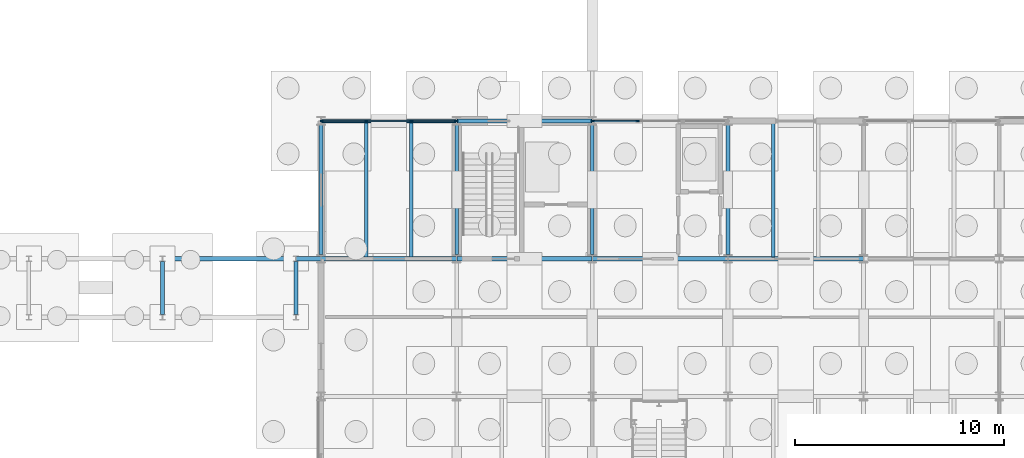
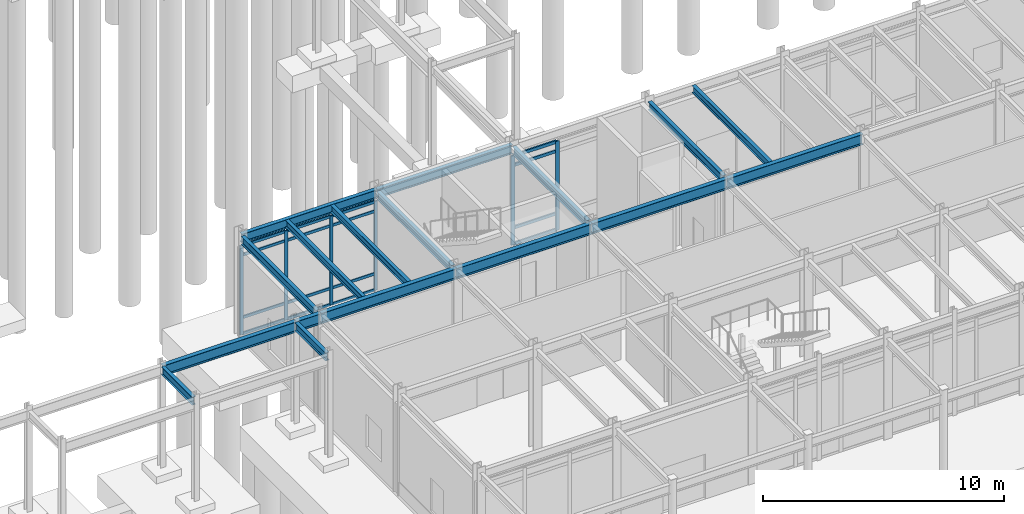
# One storey, part 37 of 82: 22 members, 17 beams, 2 elements without a shape of their own.
"""IFC4 building model written with IfcOpenShell, lengths in metres."""

from ifc_helpers import new_model, si_unit, direction, frame, origin, origin_2d, place, context, subcontext, project, spatial, rectangle, i_section, extrude, material, layer, layer_set, material_profile, profile_set, type_object, element, aggregate, save


model = new_model("IFC4")

# Units and contexts
model_context = context("Model", 3, precision=1e-05, world=origin(), true_north=direction((0.0, 1.0)))
body_context = subcontext(model_context, "Body", "Model", "MODEL_VIEW")
ifc_project = project(units=[si_unit("LENGTHUNIT", "METRE"), si_unit("AREAUNIT", "SQUARE_METRE"), si_unit("VOLUMEUNIT", "CUBIC_METRE"), si_unit("PLANEANGLEUNIT", "RADIAN"), si_unit("MASSUNIT", "GRAM", prefix="KILO")], contexts=[model_context])

# Site, building, storey
site_placement = place(None, origin())
site = spatial("IfcSite", under=ifc_project, at=site_placement, CompositionType="ELEMENT")
building_placement = place(site_placement, origin())
building = spatial("IfcBuilding", under=site, at=building_placement, Name="Trelmorton Wharf Fire Station", CompositionType="ELEMENT")
storey_placement = place(building_placement, origin())
storey = spatial("IfcBuildingStorey", under=building, at=storey_placement, Name="L00", CompositionType="ELEMENT", Elevation=0.0)

# Beams
ifc_material_1 = material(Name="Steel Grade 350", Category="steel")
ifc_material_profile_1 = material_profile(ifc_material_1, i_section(OverallWidth=0.177978515625, OverallDepth=0.406005859375, WebThickness=0.0078125, FlangeThickness=0.0126953125, FilletRadius=0.011474609375, at=origin_2d()), Name="410UB59.7")
ifc_profile_set_1 = profile_set([ifc_material_profile_1], Name="Steel Grade 350")
beam_type_1 = type_object("IfcBeamType", Name="BM_410UB60", PredefinedType="BEAM", material=ifc_profile_set_1)
for number, where, z_axis, x_axis, name in (
    (1, (96.39990234375, 18.322998046875, 4.927001953125), (0.0, 1.0, 0.0), (-1.0, 0.0, 0.0), "BM-L00-0311"),
    (2, (102.800048828125, 18.322998046875, 4.927001953125), (0.0, 1.0, 0.0), (-1.0, 0.0, 0.0), "BM-L00-0312"),
):
    element("IfcBeam", number, at=place(storey_placement, frame(where, z_axis=z_axis, x_axis=x_axis)), inside=storey, type_object=beam_type_1, Name=name, PredefinedType="BEAM", context=body_context, shape_type="SweptSolid", body=[
        extrude(i_section(OverallWidth=0.177978515625, OverallDepth=0.406005859375, WebThickness=0.0078125, FlangeThickness=0.0126953125, FilletRadius=0.011474609375, at=origin_2d()), origin(), (0.0, 0.0, 1.0), 2.553955078125),
    ])
for number, where, z_axis, x_axis, name in (
    (3, (104.0, 21.196044921875, 4.927001953125), (0.0, 1.0, 0.0), (-1.0, 0.0, 0.0), "BM-L00-0316"),
    (4, (110.5, 21.196044921875, 4.927001953125), (0.0, 1.0, 0.0), (-1.0, 0.0, 0.0), "BM-L00-0324"),
    (5, (117.0, 21.196044921875, 4.927001953125), (0.0, 1.0, 0.0), (-1.0, 0.0, 0.0), "BM-L00-0332"),
    (6, (123.5, 21.196044921875, 4.927001953125), (0.0, 1.0, 0.0), (-1.0, 0.0, 0.0), "BM-L00-0346"),
):
    element("IfcBeam", number, at=place(storey_placement, frame(where, z_axis=z_axis, x_axis=x_axis)), inside=storey, type_object=beam_type_1, Name=name, PredefinedType="BEAM", context=body_context, shape_type="SweptSolid", body=[
        extrude(i_section(OverallWidth=0.177978515625, OverallDepth=0.406005859375, WebThickness=0.0078125, FlangeThickness=0.0126953125, FilletRadius=0.011474609375, at=origin_2d()), origin(), (0.0, 0.0, 1.0), 6.2080078125),
    ])
ifc_material_profile_2 = material_profile(ifc_material_1, i_section(OverallWidth=0.208984375, OverallDepth=0.532958984375, WebThickness=0.01025390625, FlangeThickness=0.015625, FilletRadius=0.013916015625, at=origin_2d()), Name="530UB92.4")
ifc_profile_set_2 = profile_set([ifc_material_profile_2], Name="Steel Grade 350")
beam_type_2 = type_object("IfcBeamType", Name="BM_530UB92", PredefinedType="BEAM", material=ifc_profile_set_2)
beam_1_placement = place(storey_placement, frame((96.404052734375, 21.0, 4.863525390625), z_axis=(1.0, 0.0, 0.0), x_axis=(0.0, 1.0, 0.0)))
element("IfcBeam", 7, at=beam_1_placement, inside=storey, type_object=beam_type_2, Name="BM-L00-0069", PredefinedType="BEAM", context=body_context, shape_type="SweptSolid", body=[
    extrude(i_section(OverallWidth=0.208984375, OverallDepth=0.532958984375, WebThickness=0.01025390625, FlangeThickness=0.015625, FilletRadius=0.013916015625, at=origin_2d()), origin(), (0.0, 0.0, 1.0), 6.391845703125),
])
beam_2_placement = place(storey_placement, frame((102.803955078125, 21.0, 4.863525390625), z_axis=(1.0, 0.0, 0.0), x_axis=(0.0, 1.0, 0.0)))
element("IfcBeam", 8, at=beam_2_placement, inside=storey, type_object=beam_type_2, Name="BM-L00-0070", PredefinedType="BEAM", context=body_context, shape_type="SweptSolid", body=[
    extrude(i_section(OverallWidth=0.208984375, OverallDepth=0.532958984375, WebThickness=0.01025390625, FlangeThickness=0.015625, FilletRadius=0.013916015625, at=origin_2d()), origin(), (0.0, 0.0, 1.0), 1.18798828125),
])
for number, where, z_axis, x_axis, name in (
    (9, (104.008056640625, 21.0, 4.863525390625), (1.0, 0.0, 0.0), (0.0, 1.0, 0.0), "BM-L00-0071"),
    (10, (110.508056640625, 21.0, 4.863525390625), (1.0, 0.0, 0.0), (0.0, 1.0, 0.0), "BM-L00-0072"),
    (11, (117.008056640625, 21.0, 4.863525390625), (1.0, 0.0, 0.0), (0.0, 1.0, 0.0), "BM-L00-0073"),
    (12, (123.508056640625, 21.0, 4.863525390625), (1.0, 0.0, 0.0), (0.0, 1.0, 0.0), "BM-L00-0074"),
):
    element("IfcBeam", number, at=place(storey_placement, frame(where, z_axis=z_axis, x_axis=x_axis)), inside=storey, type_object=beam_type_2, Name=name, PredefinedType="BEAM", context=body_context, shape_type="SweptSolid", body=[
        extrude(i_section(OverallWidth=0.208984375, OverallDepth=0.532958984375, WebThickness=0.01025390625, FlangeThickness=0.015625, FilletRadius=0.013916015625, at=origin_2d()), origin(), (0.0, 0.0, 1.0), 6.48388671875),
    ])

# Curtain wall, members
ifc_material_2 = material(Name="Anodised aluminium AW-6063", Category="aluminium")
ifc_layer = layer(ifc_material_2, 0.14990234375)
ifc_layer_set = layer_set([ifc_layer], Name="Anodised aluminium AW-6063")
curtain_wall_type = type_object("IfcCurtainWallType", Name="CW_UNIT_A", PredefinedType="USERDEFINED", material=ifc_layer_set)
curtain_wall_1_placement = place(storey_placement, origin())
curtain_wall_1 = element("IfcCurtainWall", 13, at=curtain_wall_1_placement, inside=storey, type_object=curtain_wall_type, Name="CW-V5-L00-035", ObjectType="UNITISED CURTAIN WALL", PredefinedType="USERDEFINED")
ifc_material_profile_3 = material_profile(ifc_material_2, rectangle(XDim=0.06494140625, YDim=0.159912109375, at=origin_2d()), Name="ALU-65x160")
ifc_profile_set_3 = profile_set([ifc_material_profile_3], Name="Anodised aluminium AW-6063")
member_type_1 = type_object("IfcMemberType", Name="CWM_65x160", PredefinedType="MULLION", material=ifc_profile_set_3)
member_1_placement = place(storey_placement, frame((104.034912109375, 27.60009765625, 0.0), z_axis=(0.0, 0.0, 1.0), x_axis=(0.0, 1.0, 0.0)))
member_1 = element("IfcMember", 14, at=member_1_placement, type_object=member_type_1, Name="CW3 mullion 1", PredefinedType="MULLION", context=body_context, shape_type="SweptSolid", body=[
    extrude(rectangle(XDim=0.06494140625, YDim=0.159912109375, at=origin_2d()), origin(), (0.0, 0.0, 1.0), 4.52001953125),
])
member_2_placement = place(storey_placement, frame((106.168212890625, 27.60009765625, 0.0), z_axis=(0.0, 0.0, 1.0), x_axis=(0.0, 1.0, 0.0)))
member_2 = element("IfcMember", 15, at=member_2_placement, type_object=member_type_1, Name="CW3 mullion 2", PredefinedType="MULLION", context=body_context, shape_type="SweptSolid", body=[
    extrude(rectangle(XDim=0.06494140625, YDim=0.159912109375, at=origin_2d()), origin(), (0.0, 0.0, 1.0), 4.52001953125),
])
member_3_placement = place(storey_placement, frame((108.331787109375, 27.60009765625, 0.0), z_axis=(0.0, 0.0, 1.0), x_axis=(0.0, 1.0, 0.0)))
member_3 = element("IfcMember", 16, at=member_3_placement, type_object=member_type_1, Name="CW3 mullion 3", PredefinedType="MULLION", context=body_context, shape_type="SweptSolid", body=[
    extrude(rectangle(XDim=0.06494140625, YDim=0.159912109375, at=origin_2d()), origin(), (0.0, 0.0, 1.0), 4.52001953125),
])
member_4_placement = place(storey_placement, frame((110.465087890625, 27.60009765625, 0.0), z_axis=(0.0, 0.0, 1.0), x_axis=(0.0, 1.0, 0.0)))
member_4 = element("IfcMember", 17, at=member_4_placement, type_object=member_type_1, Name="CW3 mullion 4", PredefinedType="MULLION", context=body_context, shape_type="SweptSolid", body=[
    extrude(rectangle(XDim=0.06494140625, YDim=0.159912109375, at=origin_2d()), origin(), (0.0, 0.0, 1.0), 4.52001953125),
])

curtain_wall_2_placement = place(storey_placement, origin())
curtain_wall_2 = element("IfcCurtainWall", 18, at=curtain_wall_2_placement, inside=storey, type_object=curtain_wall_type, Name="CW-V5-L00-036", ObjectType="UNITISED CURTAIN WALL", PredefinedType="USERDEFINED")
ifc_material_profile_4 = material_profile(ifc_material_2, rectangle(XDim=0.074951171875, YDim=0.175048828125, at=origin_2d()), Name="ALU-75x175")
ifc_profile_set_4 = profile_set([ifc_material_profile_4], Name="Anodised aluminium AW-6063")
member_type_2 = type_object("IfcMemberType", Name="CWM_75x175", PredefinedType="MULLION", material=ifc_profile_set_4)
member_5_placement = place(storey_placement, frame((117.034912109375, 27.60009765625, 0.0), z_axis=(0.0, 0.0, 1.0), x_axis=(0.0, 1.0, 0.0)))
member_5 = element("IfcMember", 19, at=member_5_placement, type_object=member_type_2, Name="CW3 mullion 1", PredefinedType="MULLION", context=body_context, shape_type="SweptSolid", body=[
    extrude(rectangle(XDim=0.074951171875, YDim=0.175048828125, at=origin_2d()), origin(), (0.0, 0.0, 1.0), 4.52001953125),
])
member_6_placement = place(storey_placement, frame((119.168212890625, 27.60009765625, 0.0), z_axis=(0.0, 0.0, 1.0), x_axis=(0.0, 1.0, 0.0)))
member_6 = element("IfcMember", 20, at=member_6_placement, type_object=member_type_2, Name="CW3 mullion 2", PredefinedType="MULLION", context=body_context, shape_type="SweptSolid", body=[
    extrude(rectangle(XDim=0.074951171875, YDim=0.175048828125, at=origin_2d()), origin(), (0.0, 0.0, 1.0), 4.52001953125),
])

# Member
ifc_material_profile_5 = material_profile(ifc_material_2, rectangle(XDim=0.06494140625, YDim=0.139892578125, at=origin_2d()), Name="ALU-65x140")
ifc_profile_set_5 = profile_set([ifc_material_profile_5], Name="Anodised aluminium AW-6063")
member_type_3 = type_object("IfcMemberType", Name="CWT_65x140", PredefinedType="USERDEFINED", material=ifc_profile_set_5)
member_7_placement = place(storey_placement, frame((104.06494140625, 27.60009765625, 0.030029296875), z_axis=(1.0, 0.0, 0.0), x_axis=(0.0, 1.0, 0.0)))
member_7 = element("IfcMember", 21, at=member_7_placement, type_object=member_type_3, Name="CW3 transom 1.1", ObjectType="TRANSOM", PredefinedType="USERDEFINED", context=body_context, shape_type="SweptSolid", body=[
    extrude(rectangle(XDim=0.06494140625, YDim=0.139892578125, at=origin_2d()), origin(), (0.0, 0.0, 1.0), 2.073486328125),
])

member_8_placement = place(storey_placement, frame((104.06494140625, 27.60009765625, 0.85009765625), z_axis=(1.0, 0.0, 0.0), x_axis=(0.0, 1.0, 0.0)))
member_8 = element("IfcMember", 22, at=member_8_placement, type_object=member_type_3, Name="CW3 transom 1.2", ObjectType="TRANSOM", PredefinedType="USERDEFINED", context=body_context, shape_type="SweptSolid", body=[
    extrude(rectangle(XDim=0.06494140625, YDim=0.139892578125, at=origin_2d()), origin(), (0.0, 0.0, 1.0), 2.073486328125),
])

member_9_placement = place(storey_placement, frame((104.06494140625, 27.60009765625, 4.02001953125), z_axis=(1.0, 0.0, 0.0), x_axis=(0.0, 1.0, 0.0)))
member_9 = element("IfcMember", 23, at=member_9_placement, type_object=member_type_3, Name="CW3 transom 1.3", ObjectType="TRANSOM", PredefinedType="USERDEFINED", context=body_context, shape_type="SweptSolid", body=[
    extrude(rectangle(XDim=0.06494140625, YDim=0.139892578125, at=origin_2d()), origin(), (0.0, 0.0, 1.0), 2.073486328125),
])

member_10_placement = place(storey_placement, frame((104.06494140625, 27.60009765625, 4.489990234375), z_axis=(1.0, 0.0, 0.0), x_axis=(0.0, 1.0, 0.0)))
member_10 = element("IfcMember", 24, at=member_10_placement, type_object=member_type_3, Name="CW3 transom 1.4", ObjectType="TRANSOM", PredefinedType="USERDEFINED", context=body_context, shape_type="SweptSolid", body=[
    extrude(rectangle(XDim=0.06494140625, YDim=0.139892578125, at=origin_2d()), origin(), (0.0, 0.0, 1.0), 2.073486328125),
])

member_11_placement = place(storey_placement, frame((106.1982421875, 27.60009765625, 0.030029296875), z_axis=(1.0, 0.0, 0.0), x_axis=(0.0, 1.0, 0.0)))
member_11 = element("IfcMember", 25, at=member_11_placement, type_object=member_type_3, Name="CW3 transom 2.1", ObjectType="TRANSOM", PredefinedType="USERDEFINED", context=body_context, shape_type="SweptSolid", body=[
    extrude(rectangle(XDim=0.06494140625, YDim=0.139892578125, at=origin_2d()), origin(), (0.0, 0.0, 1.0), 2.103515625),
])

member_12_placement = place(storey_placement, frame((106.1982421875, 27.60009765625, 0.85009765625), z_axis=(1.0, 0.0, 0.0), x_axis=(0.0, 1.0, 0.0)))
member_12 = element("IfcMember", 26, at=member_12_placement, type_object=member_type_3, Name="CW3 transom 2.2", ObjectType="TRANSOM", PredefinedType="USERDEFINED", context=body_context, shape_type="SweptSolid", body=[
    extrude(rectangle(XDim=0.06494140625, YDim=0.139892578125, at=origin_2d()), origin(), (0.0, 0.0, 1.0), 2.103515625),
])

member_13_placement = place(storey_placement, frame((106.1982421875, 27.60009765625, 4.02001953125), z_axis=(1.0, 0.0, 0.0), x_axis=(0.0, 1.0, 0.0)))
member_13 = element("IfcMember", 27, at=member_13_placement, type_object=member_type_3, Name="CW3 transom 2.3", ObjectType="TRANSOM", PredefinedType="USERDEFINED", context=body_context, shape_type="SweptSolid", body=[
    extrude(rectangle(XDim=0.06494140625, YDim=0.139892578125, at=origin_2d()), origin(), (0.0, 0.0, 1.0), 2.103515625),
])

member_14_placement = place(storey_placement, frame((106.1982421875, 27.60009765625, 4.489990234375), z_axis=(1.0, 0.0, 0.0), x_axis=(0.0, 1.0, 0.0)))
member_14 = element("IfcMember", 28, at=member_14_placement, type_object=member_type_3, Name="CW3 transom 2.4", ObjectType="TRANSOM", PredefinedType="USERDEFINED", context=body_context, shape_type="SweptSolid", body=[
    extrude(rectangle(XDim=0.06494140625, YDim=0.139892578125, at=origin_2d()), origin(), (0.0, 0.0, 1.0), 2.103515625),
])

member_15_placement = place(storey_placement, frame((108.361572265625, 27.60009765625, 0.030029296875), z_axis=(1.0, 0.0, 0.0), x_axis=(0.0, 1.0, 0.0)))
member_15 = element("IfcMember", 29, at=member_15_placement, type_object=member_type_3, Name="CW3 transom 3.1", ObjectType="TRANSOM", PredefinedType="USERDEFINED", context=body_context, shape_type="SweptSolid", body=[
    extrude(rectangle(XDim=0.06494140625, YDim=0.139892578125, at=origin_2d()), origin(), (0.0, 0.0, 1.0), 2.073486328125),
])

member_16_placement = place(storey_placement, frame((108.361572265625, 27.60009765625, 0.85009765625), z_axis=(1.0, 0.0, 0.0), x_axis=(0.0, 1.0, 0.0)))
member_16 = element("IfcMember", 30, at=member_16_placement, type_object=member_type_3, Name="CW3 transom 3.2", ObjectType="TRANSOM", PredefinedType="USERDEFINED", context=body_context, shape_type="SweptSolid", body=[
    extrude(rectangle(XDim=0.06494140625, YDim=0.139892578125, at=origin_2d()), origin(), (0.0, 0.0, 1.0), 2.073486328125),
])

member_17_placement = place(storey_placement, frame((108.361572265625, 27.60009765625, 4.02001953125), z_axis=(1.0, 0.0, 0.0), x_axis=(0.0, 1.0, 0.0)))
member_17 = element("IfcMember", 31, at=member_17_placement, type_object=member_type_3, Name="CW3 transom 3.3", ObjectType="TRANSOM", PredefinedType="USERDEFINED", context=body_context, shape_type="SweptSolid", body=[
    extrude(rectangle(XDim=0.06494140625, YDim=0.139892578125, at=origin_2d()), origin(), (0.0, 0.0, 1.0), 2.073486328125),
])

member_18_placement = place(storey_placement, frame((108.361572265625, 27.60009765625, 4.489990234375), z_axis=(1.0, 0.0, 0.0), x_axis=(0.0, 1.0, 0.0)))
member_18 = element("IfcMember", 32, at=member_18_placement, type_object=member_type_3, Name="CW3 transom 3.4", ObjectType="TRANSOM", PredefinedType="USERDEFINED", context=body_context, shape_type="SweptSolid", body=[
    extrude(rectangle(XDim=0.06494140625, YDim=0.139892578125, at=origin_2d()), origin(), (0.0, 0.0, 1.0), 2.073486328125),
])

aggregate(curtain_wall_1, [member_1, member_2, member_3, member_4, member_7, member_8, member_9, member_10, member_11, member_12, member_13, member_14, member_15, member_16, member_17, member_18])

ifc_material_profile_6 = material_profile(ifc_material_2, rectangle(XDim=0.074951171875, YDim=0.155029296875, at=origin_2d()), Name="ALU-75x155")
ifc_profile_set_6 = profile_set([ifc_material_profile_6], Name="Anodised aluminium AW-6063")
member_type_4 = type_object("IfcMemberType", Name="CWT_75x155", PredefinedType="USERDEFINED", material=ifc_profile_set_6)
member_19_placement = place(storey_placement, frame((117.06494140625, 27.60009765625, 0.030029296875), z_axis=(1.0, 0.0, 0.0), x_axis=(0.0, 1.0, 0.0)))
member_19 = element("IfcMember", 33, at=member_19_placement, type_object=member_type_4, Name="CW3 transom 1.1", ObjectType="TRANSOM", PredefinedType="USERDEFINED", context=body_context, shape_type="SweptSolid", body=[
    extrude(rectangle(XDim=0.074951171875, YDim=0.155029296875, at=origin_2d()), origin(), (0.0, 0.0, 1.0), 2.073486328125),
])

member_20_placement = place(storey_placement, frame((117.06494140625, 27.60009765625, 0.85009765625), z_axis=(1.0, 0.0, 0.0), x_axis=(0.0, 1.0, 0.0)))
member_20 = element("IfcMember", 34, at=member_20_placement, type_object=member_type_4, Name="CW3 transom 1.2", ObjectType="TRANSOM", PredefinedType="USERDEFINED", context=body_context, shape_type="SweptSolid", body=[
    extrude(rectangle(XDim=0.074951171875, YDim=0.155029296875, at=origin_2d()), origin(), (0.0, 0.0, 1.0), 2.073486328125),
])

member_21_placement = place(storey_placement, frame((117.06494140625, 27.60009765625, 4.02001953125), z_axis=(1.0, 0.0, 0.0), x_axis=(0.0, 1.0, 0.0)))
member_21 = element("IfcMember", 35, at=member_21_placement, type_object=member_type_4, Name="CW3 transom 1.3", ObjectType="TRANSOM", PredefinedType="USERDEFINED", context=body_context, shape_type="SweptSolid", body=[
    extrude(rectangle(XDim=0.074951171875, YDim=0.155029296875, at=origin_2d()), origin(), (0.0, 0.0, 1.0), 2.073486328125),
])

member_22_placement = place(storey_placement, frame((117.06494140625, 27.60009765625, 4.489990234375), z_axis=(1.0, 0.0, 0.0), x_axis=(0.0, 1.0, 0.0)))
member_22 = element("IfcMember", 36, at=member_22_placement, type_object=member_type_4, Name="CW3 transom 1.4", ObjectType="TRANSOM", PredefinedType="USERDEFINED", context=body_context, shape_type="SweptSolid", body=[
    extrude(rectangle(XDim=0.074951171875, YDim=0.155029296875, at=origin_2d()), origin(), (0.0, 0.0, 1.0), 2.073486328125),
])

aggregate(curtain_wall_2, [member_5, member_6, member_19, member_20, member_21, member_22])

# Beams
ifc_material_profile_7 = material_profile(ifc_material_1, i_section(OverallWidth=0.172119140625, OverallDepth=0.35888671875, WebThickness=0.008056640625, FlangeThickness=0.012939453125, FilletRadius=0.011474609375, at=origin_2d()), Name="360UB56.7")
ifc_profile_set_7 = profile_set([ifc_material_profile_7], Name="Steel Grade 350")
beam_type_3 = type_object("IfcBeamType", Name="JS_360UB57", PredefinedType="JOIST", material=ifc_profile_set_7)
for number, where, z_axis, x_axis, name in (
    (37, (106.166748046875, 21.090087890625, 4.950439453125), (0.0, 1.0, 0.0), (-1.0, 0.0, 0.0), "JS-L00-0073"),
    (38, (108.333251953125, 21.090087890625, 4.950439453125), (0.0, 1.0, 0.0), (-1.0, 0.0, 0.0), "JS-L00-0074"),
    (39, (125.666748046875, 21.090087890625, 4.950439453125), (0.0, 1.0, 0.0), (-1.0, 0.0, 0.0), "JS-L00-0087"),
):
    element("IfcBeam", number, at=place(storey_placement, frame(where, z_axis=z_axis, x_axis=x_axis)), inside=storey, type_object=beam_type_3, Name=name, PredefinedType="JOIST", context=body_context, shape_type="SweptSolid", body=[
        extrude(i_section(OverallWidth=0.172119140625, OverallDepth=0.35888671875, WebThickness=0.008056640625, FlangeThickness=0.012939453125, FilletRadius=0.011474609375, at=origin_2d()), origin(), (0.0, 0.0, 1.0), 6.419921875),
    ])
ifc_material_profile_8 = material_profile(ifc_material_1, i_section(OverallWidth=0.18994140625, OverallDepth=0.45703125, WebThickness=0.009033203125, FlangeThickness=0.014404296875, FilletRadius=0.011474609375, at=origin_2d()), Name="460UB74.6")
ifc_profile_set_8 = profile_set([ifc_material_profile_8], Name="Steel Grade 350")
beam_type_4 = type_object("IfcBeamType", Name="SP_460UB75", PredefinedType="SPANDREL", material=ifc_profile_set_8)
for number, where, z_axis, x_axis, name in (
    (40, (104.008056640625, 27.60009765625, 4.901611328125), (1.0, 0.0, 0.0), (0.0, 1.0, 0.0), "BM-L00-0094"),
    (41, (110.508056640625, 27.60009765625, 4.901611328125), (1.0, 0.0, 0.0), (0.0, 1.0, 0.0), "BM-L00-0095"),
):
    element("IfcBeam", number, at=place(storey_placement, frame(where, z_axis=z_axis, x_axis=x_axis)), inside=storey, type_object=beam_type_4, Name=name, PredefinedType="SPANDREL", context=body_context, shape_type="SweptSolid", body=[
        extrude(i_section(OverallWidth=0.18994140625, OverallDepth=0.45703125, WebThickness=0.009033203125, FlangeThickness=0.014404296875, FilletRadius=0.011474609375, at=origin_2d()), origin(), (0.0, 0.0, 1.0), 6.48388671875),
    ])

save(model, "model.ifc")
